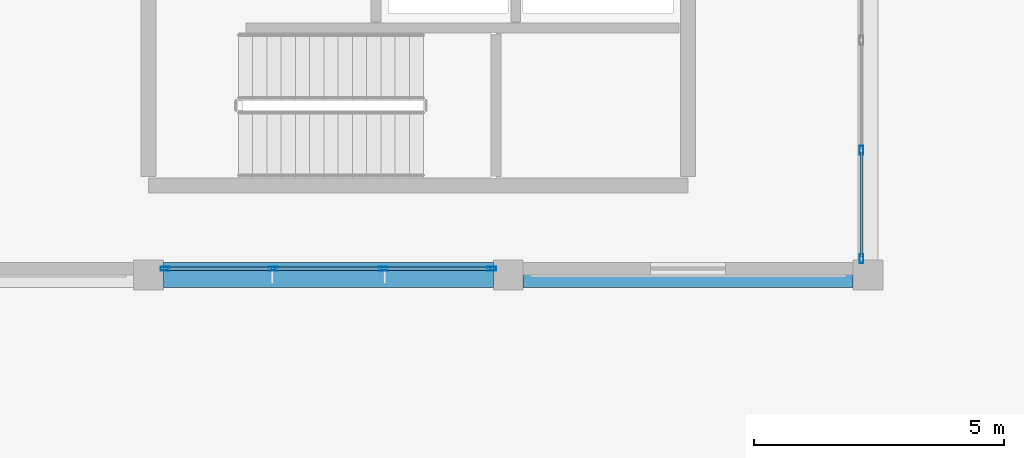
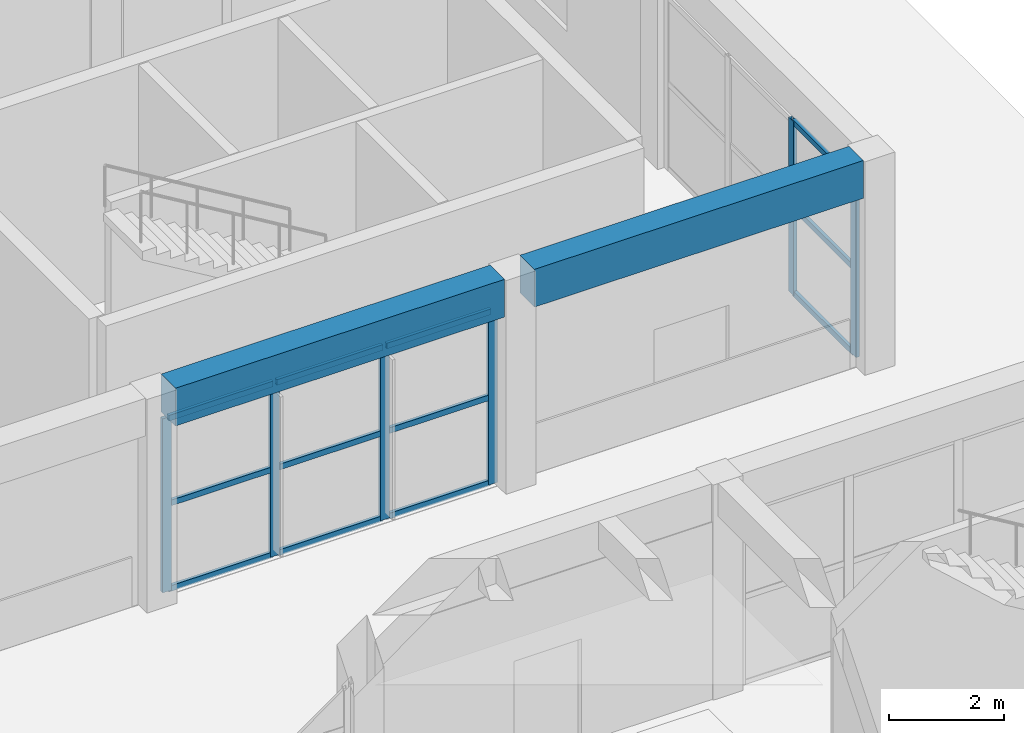
# One storey, part 94 of 155: 18 members, 2 beams, 2 elements without a shape of their own.
"""IFC4 building model written with IfcOpenShell, lengths in metres."""

from ifc_helpers import new_model, si_unit, direction, frame, origin, origin_2d, place, context, subcontext, project, spatial, rectangle, hollow_rectangle, extrude, material, material_profile, profile_set, type_object, element, aggregate, save


model = new_model("IFC4")

# Units and contexts
model_context = context("Model", 3, precision=1e-05, world=origin(), true_north=direction((0.0, 1.0)))
body_context = subcontext(model_context, "Body", "Model", "MODEL_VIEW")
ifc_project = project(units=[si_unit("LENGTHUNIT", "METRE"), si_unit("AREAUNIT", "SQUARE_METRE"), si_unit("VOLUMEUNIT", "CUBIC_METRE"), si_unit("PLANEANGLEUNIT", "RADIAN"), si_unit("MASSUNIT", "GRAM", prefix="KILO")], contexts=[model_context])

# Site, building, storey
site_placement = place(None, origin())
site = spatial("IfcSite", under=ifc_project, at=site_placement, CompositionType="ELEMENT")
building_placement = place(site_placement, origin())
building = spatial("IfcBuilding", under=site, at=building_placement, Name="Bramvelor Terrace Health Centre", CompositionType="ELEMENT")
storey_placement = place(building_placement, origin())
storey = spatial("IfcBuildingStorey", under=building, at=storey_placement, Name="L01", CompositionType="ELEMENT", Elevation=0.0)

# Beams
ifc_material_1 = material(Name="Concrete C40/50", Category="concrete")
ifc_material_profile_1 = material_profile(ifc_material_1, rectangle(XDim=0.5, YDim=0.800048828125, at=origin_2d()), Name="RC 500x800")
ifc_profile_set_1 = profile_set([ifc_material_profile_1], Name="Concrete C40/50")
beam_type = type_object("IfcBeamType", Name="BM-RC-G800", PredefinedType="BEAM", material=ifc_profile_set_1)
for number, where, z_axis, x_axis, name in (
    (1, (79.5, 86.39990234375, 4.1298828125), (1.0, 0.0, 0.0), (0.0, 1.0, 0.0), "L01 Floor Girder"),
    (2, (86.699951171875, 86.39990234375, 4.1298828125), (1.0, 0.0, 0.0), (0.0, 1.0, 0.0), "L01 Floor Girder"),
):
    element("IfcBeam", number, at=place(storey_placement, frame(where, z_axis=z_axis, x_axis=x_axis)), inside=storey, type_object=beam_type, Name=name, PredefinedType="BEAM", context=body_context, shape_type="SweptSolid", body=[
        extrude(rectangle(XDim=0.5, YDim=0.800048828125, at=origin_2d()), origin(), (0.0, 0.0, 1.0), 6.60009765625),
    ])

# Curtain wall, members
ifc_material_2 = material(Name="Anodized aluminium and double low-E glass", Category="aluminium")
curtain_wall_type = type_object("IfcCurtainWallType", Name="CW-SYS-02", PredefinedType="NOTDEFINED", material=ifc_material_2)
curtain_wall_1_placement = place(storey_placement, origin())
curtain_wall_1 = element("IfcCurtainWall", 3, at=curtain_wall_1_placement, inside=storey, type_object=curtain_wall_type, Name="L01 Unitized Curtain Wall 25", PredefinedType="NOTDEFINED")
ifc_material_3 = material(Name="Anodized aluminium 6063-T6", Category="aluminium")
ifc_material_profile_2 = material_profile(ifc_material_3, hollow_rectangle(XDim=0.074951171875, YDim=0.179931640625, WallThickness=0.00341796875, at=origin_2d()), Name="ALU-MUL 75x180x3.5")
ifc_profile_set_2 = profile_set([ifc_material_profile_2], Name="Anodized aluminium 6063-T6")
member_type_1 = type_object("IfcMemberType", Name="CW-MUL-65x180", PredefinedType="MULLION", material=ifc_profile_set_2)
member_1_placement = place(storey_placement, frame((93.469970703125, 88.8984375, 0.0), z_axis=(0.0, 0.0, 1.0), x_axis=(1.0, 0.0, 0.0)))
member_1 = element("IfcMember", 4, at=member_1_placement, type_object=member_type_1, Name="CW-02 mullion 3", PredefinedType="MULLION", context=body_context, shape_type="SweptSolid", body=[
    extrude(hollow_rectangle(XDim=0.074951171875, YDim=0.179931640625, WallThickness=0.00341796875, at=origin_2d()), origin(), (0.0, 0.0, 1.0), 3.68994140625),
])
member_2_placement = place(storey_placement, frame((93.469970703125, 86.732421875, 0.0), z_axis=(0.0, 0.0, 1.0), x_axis=(1.0, 0.0, 0.0)))
member_2 = element("IfcMember", 5, at=member_2_placement, type_object=member_type_1, Name="CW-02 mullion 4", PredefinedType="MULLION", context=body_context, shape_type="SweptSolid", body=[
    extrude(hollow_rectangle(XDim=0.074951171875, YDim=0.179931640625, WallThickness=0.00341796875, at=origin_2d()), origin(), (0.0, 0.0, 1.0), 3.68994140625),
])

curtain_wall_2_placement = place(storey_placement, origin())
curtain_wall_2 = element("IfcCurtainWall", 6, at=curtain_wall_2_placement, inside=storey, type_object=curtain_wall_type, Name="L01 Unitized Curtain Wall 26", PredefinedType="NOTDEFINED")
member_3_placement = place(storey_placement, frame((86.0673828125, 86.530029296875, 0.0), z_axis=(0.0, 0.0, 1.0), x_axis=(0.0, -1.0, 0.0)))
member_3 = element("IfcMember", 7, at=member_3_placement, type_object=member_type_1, Name="CW-02 mullion 1", PredefinedType="MULLION", context=body_context, shape_type="SweptSolid", body=[
    extrude(hollow_rectangle(XDim=0.074951171875, YDim=0.179931640625, WallThickness=0.00341796875, at=origin_2d()), origin(), (0.0, 0.0, 1.0), 3.68994140625),
])
member_4_placement = place(storey_placement, frame((83.901611328125, 86.530029296875, 0.0), z_axis=(0.0, 0.0, 1.0), x_axis=(0.0, -1.0, 0.0)))
member_4 = element("IfcMember", 8, at=member_4_placement, type_object=member_type_1, Name="CW-02 mullion 2", PredefinedType="MULLION", context=body_context, shape_type="SweptSolid", body=[
    extrude(hollow_rectangle(XDim=0.074951171875, YDim=0.179931640625, WallThickness=0.00341796875, at=origin_2d()), origin(), (0.0, 0.0, 1.0), 3.68994140625),
])
member_5_placement = place(storey_placement, frame((81.6982421875, 86.530029296875, 0.0), z_axis=(0.0, 0.0, 1.0), x_axis=(0.0, -1.0, 0.0)))
member_5 = element("IfcMember", 9, at=member_5_placement, type_object=member_type_1, Name="CW-02 mullion 3", PredefinedType="MULLION", context=body_context, shape_type="SweptSolid", body=[
    extrude(hollow_rectangle(XDim=0.074951171875, YDim=0.179931640625, WallThickness=0.00341796875, at=origin_2d()), origin(), (0.0, 0.0, 1.0), 3.68994140625),
])
member_6_placement = place(storey_placement, frame((79.532470703125, 86.530029296875, 0.0), z_axis=(0.0, 0.0, 1.0), x_axis=(0.0, -1.0, 0.0)))
member_6 = element("IfcMember", 10, at=member_6_placement, type_object=member_type_1, Name="CW-02 mullion 4", PredefinedType="MULLION", context=body_context, shape_type="SweptSolid", body=[
    extrude(hollow_rectangle(XDim=0.074951171875, YDim=0.179931640625, WallThickness=0.00341796875, at=origin_2d()), origin(), (0.0, 0.0, 1.0), 3.68994140625),
])

# Member
ifc_material_4 = material(Name="Anodized aluminium 6063-T6", Category="aluminium")
ifc_material_profile_3 = material_profile(ifc_material_4, hollow_rectangle(XDim=0.06494140625, YDim=0.1201171875, WallThickness=0.0029296875, at=origin_2d()), Name="ALU-TRN 65x120x3.0")
ifc_profile_set_3 = profile_set([ifc_material_profile_3], Name="Anodized aluminium 6063-T6")
member_type_2 = type_object("IfcMemberType", Name="CW-TRN-65x150", PredefinedType="USERDEFINED", material=ifc_profile_set_3)
member_7_placement = place(storey_placement, frame((93.469970703125, 88.86083984375, 0.032470703125), z_axis=(0.0, -1.0, 0.0), x_axis=(1.0, 0.0, 0.0)))
member_7 = element("IfcMember", 11, at=member_7_placement, type_object=member_type_2, Name="CW-02 transom 3.1", ObjectType="TRANSOM", PredefinedType="USERDEFINED", context=body_context, shape_type="SweptSolid", body=[
    extrude(hollow_rectangle(XDim=0.06494140625, YDim=0.1201171875, WallThickness=0.0029296875, at=origin_2d()), origin(), (0.0, 0.0, 1.0), 2.0908203125),
])

member_8_placement = place(storey_placement, frame((93.469970703125, 88.86083984375, 1.844970703125), z_axis=(0.0, -1.0, 0.0), x_axis=(1.0, 0.0, 0.0)))
member_8 = element("IfcMember", 12, at=member_8_placement, type_object=member_type_2, Name="CW-02 transom 3.2", ObjectType="TRANSOM", PredefinedType="USERDEFINED", context=body_context, shape_type="SweptSolid", body=[
    extrude(hollow_rectangle(XDim=0.06494140625, YDim=0.1201171875, WallThickness=0.0029296875, at=origin_2d()), origin(), (0.0, 0.0, 1.0), 2.0908203125),
])

member_9_placement = place(storey_placement, frame((93.469970703125, 88.86083984375, 3.657470703125), z_axis=(0.0, -1.0, 0.0), x_axis=(1.0, 0.0, 0.0)))
member_9 = element("IfcMember", 13, at=member_9_placement, type_object=member_type_2, Name="CW-02 transom 3.3", ObjectType="TRANSOM", PredefinedType="USERDEFINED", context=body_context, shape_type="SweptSolid", body=[
    extrude(hollow_rectangle(XDim=0.06494140625, YDim=0.1201171875, WallThickness=0.0029296875, at=origin_2d()), origin(), (0.0, 0.0, 1.0), 2.0908203125),
])

aggregate(curtain_wall_1, [member_1, member_2, member_7, member_8, member_9])

member_10_placement = place(storey_placement, frame((86.030029296875, 86.530029296875, 0.032470703125), z_axis=(-1.0, 0.0, 0.0), x_axis=(0.0, -1.0, 0.0)))
member_10 = element("IfcMember", 14, at=member_10_placement, type_object=member_type_2, Name="CW-02 transom 1.1", ObjectType="TRANSOM", PredefinedType="USERDEFINED", context=body_context, shape_type="SweptSolid", body=[
    extrude(hollow_rectangle(XDim=0.06494140625, YDim=0.1201171875, WallThickness=0.0029296875, at=origin_2d()), origin(), (0.0, 0.0, 1.0), 2.0908203125),
])

member_11_placement = place(storey_placement, frame((86.030029296875, 86.530029296875, 1.844970703125), z_axis=(-1.0, 0.0, 0.0), x_axis=(0.0, -1.0, 0.0)))
member_11 = element("IfcMember", 15, at=member_11_placement, type_object=member_type_2, Name="CW-02 transom 1.2", ObjectType="TRANSOM", PredefinedType="USERDEFINED", context=body_context, shape_type="SweptSolid", body=[
    extrude(hollow_rectangle(XDim=0.06494140625, YDim=0.1201171875, WallThickness=0.0029296875, at=origin_2d()), origin(), (0.0, 0.0, 1.0), 2.0908203125),
])

member_12_placement = place(storey_placement, frame((86.030029296875, 86.530029296875, 3.657470703125), z_axis=(-1.0, 0.0, 0.0), x_axis=(0.0, -1.0, 0.0)))
member_12 = element("IfcMember", 16, at=member_12_placement, type_object=member_type_2, Name="CW-02 transom 1.3", ObjectType="TRANSOM", PredefinedType="USERDEFINED", context=body_context, shape_type="SweptSolid", body=[
    extrude(hollow_rectangle(XDim=0.06494140625, YDim=0.1201171875, WallThickness=0.0029296875, at=origin_2d()), origin(), (0.0, 0.0, 1.0), 2.0908203125),
])

member_13_placement = place(storey_placement, frame((83.8642578125, 86.530029296875, 0.032470703125), z_axis=(-1.0, 0.0, 0.0), x_axis=(0.0, -1.0, 0.0)))
member_13 = element("IfcMember", 17, at=member_13_placement, type_object=member_type_2, Name="CW-02 transom 2.1", ObjectType="TRANSOM", PredefinedType="USERDEFINED", context=body_context, shape_type="SweptSolid", body=[
    extrude(hollow_rectangle(XDim=0.06494140625, YDim=0.1201171875, WallThickness=0.0029296875, at=origin_2d()), origin(), (0.0, 0.0, 1.0), 2.12841796875),
])

member_14_placement = place(storey_placement, frame((83.8642578125, 86.530029296875, 1.844970703125), z_axis=(-1.0, 0.0, 0.0), x_axis=(0.0, -1.0, 0.0)))
member_14 = element("IfcMember", 18, at=member_14_placement, type_object=member_type_2, Name="CW-02 transom 2.2", ObjectType="TRANSOM", PredefinedType="USERDEFINED", context=body_context, shape_type="SweptSolid", body=[
    extrude(hollow_rectangle(XDim=0.06494140625, YDim=0.1201171875, WallThickness=0.0029296875, at=origin_2d()), origin(), (0.0, 0.0, 1.0), 2.12841796875),
])

member_15_placement = place(storey_placement, frame((83.8642578125, 86.530029296875, 3.657470703125), z_axis=(-1.0, 0.0, 0.0), x_axis=(0.0, -1.0, 0.0)))
member_15 = element("IfcMember", 19, at=member_15_placement, type_object=member_type_2, Name="CW-02 transom 2.3", ObjectType="TRANSOM", PredefinedType="USERDEFINED", context=body_context, shape_type="SweptSolid", body=[
    extrude(hollow_rectangle(XDim=0.06494140625, YDim=0.1201171875, WallThickness=0.0029296875, at=origin_2d()), origin(), (0.0, 0.0, 1.0), 2.12841796875),
])

member_16_placement = place(storey_placement, frame((81.660888671875, 86.530029296875, 0.032470703125), z_axis=(-1.0, 0.0, 0.0), x_axis=(0.0, -1.0, 0.0)))
member_16 = element("IfcMember", 20, at=member_16_placement, type_object=member_type_2, Name="CW-02 transom 3.1", ObjectType="TRANSOM", PredefinedType="USERDEFINED", context=body_context, shape_type="SweptSolid", body=[
    extrude(hollow_rectangle(XDim=0.06494140625, YDim=0.1201171875, WallThickness=0.0029296875, at=origin_2d()), origin(), (0.0, 0.0, 1.0), 2.0908203125),
])

member_17_placement = place(storey_placement, frame((81.660888671875, 86.530029296875, 1.844970703125), z_axis=(-1.0, 0.0, 0.0), x_axis=(0.0, -1.0, 0.0)))
member_17 = element("IfcMember", 21, at=member_17_placement, type_object=member_type_2, Name="CW-02 transom 3.2", ObjectType="TRANSOM", PredefinedType="USERDEFINED", context=body_context, shape_type="SweptSolid", body=[
    extrude(hollow_rectangle(XDim=0.06494140625, YDim=0.1201171875, WallThickness=0.0029296875, at=origin_2d()), origin(), (0.0, 0.0, 1.0), 2.0908203125),
])

member_18_placement = place(storey_placement, frame((81.660888671875, 86.530029296875, 3.657470703125), z_axis=(-1.0, 0.0, 0.0), x_axis=(0.0, -1.0, 0.0)))
member_18 = element("IfcMember", 22, at=member_18_placement, type_object=member_type_2, Name="CW-02 transom 3.3", ObjectType="TRANSOM", PredefinedType="USERDEFINED", context=body_context, shape_type="SweptSolid", body=[
    extrude(hollow_rectangle(XDim=0.06494140625, YDim=0.1201171875, WallThickness=0.0029296875, at=origin_2d()), origin(), (0.0, 0.0, 1.0), 2.0908203125),
])

aggregate(curtain_wall_2, [member_3, member_4, member_5, member_6, member_10, member_11, member_12, member_13, member_14, member_15, member_16, member_17, member_18])

save(model, "model.ifc")
